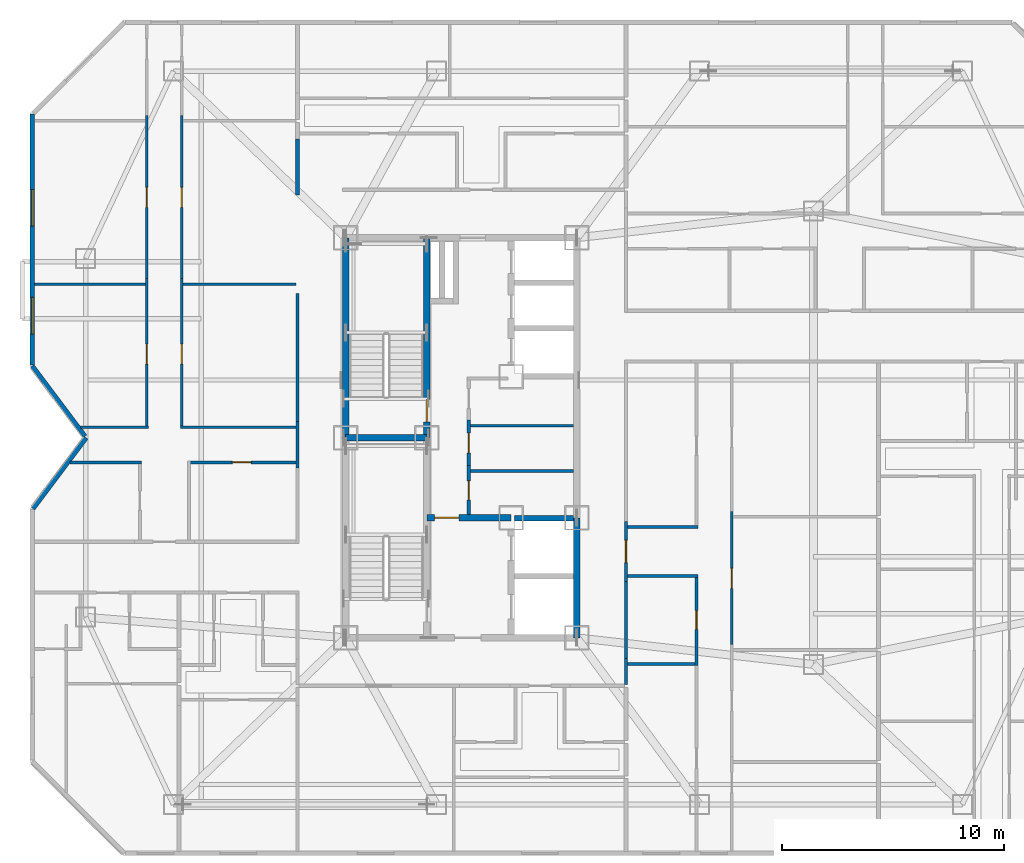
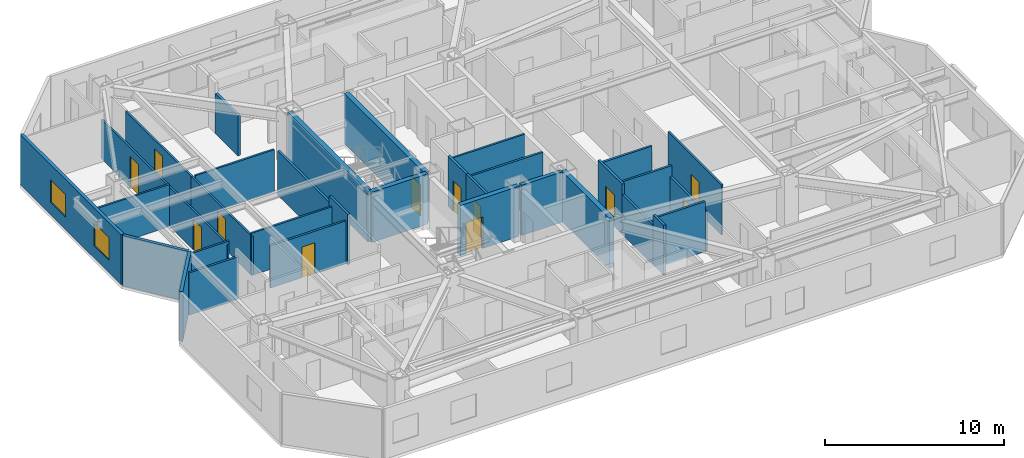
# One storey, part 7 of 13: 34 walls, 12 doors, 2 windows, 14 openings.
"""IFC4 building model written with IfcOpenShell, lengths in metres."""

from ifc_helpers import new_model, si_unit, direction, frame, frame_2d, origin, place, context, subcontext, project, spatial, rectangle, extrude, material, layer, layer_set, type_object, element, fill, save


model = new_model("IFC4")

# Units and contexts
model_context = context("Model", 3, precision=1e-05, world=origin(), true_north=direction((0.0, 1.0)))
body_context = subcontext(model_context, "Body", "Model", "MODEL_VIEW")
ifc_project = project(units=[si_unit("LENGTHUNIT", "METRE"), si_unit("AREAUNIT", "SQUARE_METRE"), si_unit("VOLUMEUNIT", "CUBIC_METRE"), si_unit("PLANEANGLEUNIT", "RADIAN"), si_unit("MASSUNIT", "GRAM", prefix="KILO")], contexts=[model_context])

# Site, building, storey
site_placement = place(None, origin())
site = spatial("IfcSite", under=ifc_project, at=site_placement, CompositionType="ELEMENT")
building_placement = place(site_placement, origin())
building = spatial("IfcBuilding", under=site, at=building_placement, Name="Khamvora Tower", CompositionType="ELEMENT")
storey_placement = place(building_placement, frame((0.0, 0.0, 166.85009765625)))
storey = spatial("IfcBuildingStorey", under=building, at=storey_placement, Name="L42", CompositionType="ELEMENT", Elevation=166.85009765625)

# Walls
ifc_material_1 = material(Name="Concrete C50/60", Category="concrete")
ifc_layer_1 = layer(ifc_material_1, 0.300048828125)
ifc_layer_set_1 = layer_set([ifc_layer_1], Name="Concrete C50/60")
wall_type_1 = type_object("IfcWallType", Name="WAL-CORE-300", PredefinedType="SHEAR", material=ifc_layer_set_1)
wall_1_placement = place(storey_placement, frame((29.0, 28.0, 0.0), z_axis=(0.0, 0.0, 1.0), x_axis=(0.0, 1.0, 0.0)))
element("IfcWall", 1, at=wall_1_placement, inside=storey, type_object=wall_type_1, Name="L42 central core west north wall", PredefinedType="SHEAR", context=body_context, shape_type="SweptSolid", body=[
    extrude(rectangle(XDim=9.0, YDim=0.300048828125, at=frame_2d((4.5, 0.0))), origin(), (0.0, 0.0, 1.0), 3.429931640625),
])
wall_2_placement = place(storey_placement, frame((39.39990234375, 19.0, 0.0), z_axis=(0.0, 0.0, 1.0), x_axis=(0.0, 1.0, 0.0)))
element("IfcWall", 2, at=wall_2_placement, inside=storey, type_object=wall_type_1, Name="L42 central core east south wall", PredefinedType="SHEAR", context=body_context, shape_type="SweptSolid", body=[
    extrude(rectangle(XDim=5.39990234375, YDim=0.300048828125, at=frame_2d((2.699951171875, 0.0))), origin(), (0.0, 0.0, 1.0), 3.429931640625),
])

# Wall, opening, door
wall_3_placement = place(storey_placement, frame((32.64990234375, 28.0, 0.0), z_axis=(0.0, 0.0, 1.0), x_axis=(0.0, 1.0, 0.0)))
wall_3 = element("IfcWall", 3, at=wall_3_placement, inside=storey, type_object=wall_type_1, Name="L42 central core stair north spine wall", PredefinedType="SHEAR", context=body_context, shape_type="SweptSolid", body=[
    extrude(rectangle(XDim=9.0, YDim=0.300048828125, at=frame_2d((4.5, 0.0))), origin(), (0.0, 0.0, 1.0), 3.429931640625),
])
opening_1_placement = place(wall_3_placement, frame((0.719970703125, 0.0, 0.0)))
opening_1 = element("IfcOpeningElement", 4, at=opening_1_placement, cuts=wall_3, Name="Opening D-ST1", PredefinedType="OPENING", context=body_context, shape_type="SweptSolid", body=[
    extrude(rectangle(XDim=1.0, YDim=2.14990234375, at=frame_2d((0.5, 1.074951171875))), frame((0.0, 0.159912109375, 0.0), z_axis=(0.0, -1.0, 0.0), x_axis=(1.0, 0.0, 0.0)), (0.0, 0.0, 1.0), 0.320068359375),
])
ifc_material_2 = material(Name="Powder-Coated Steel and Hardwood Leaf", Category="steel")
door_type_1 = type_object("IfcDoorType", Name="DOR-STAIR-1000", OperationType="NOTDEFINED", PredefinedType="DOOR", material=ifc_material_2)
door_1_placement = place(opening_1_placement, origin())
door_1 = element("IfcDoor", 5, at=door_1_placement, inside=storey, type_object=door_type_1, Name="L42 exit stair ST-02 fire door", OperationType="SINGLE_SWING_RIGHT", OverallHeight=2.14990234375, OverallWidth=1.0, PredefinedType="DOOR", context=body_context, shape_type="SweptSolid", body=[
    extrude(rectangle(XDim=1.0, YDim=2.14990234375, at=frame_2d((0.5, 1.074951171875))), frame((0.0, 0.02490234375, 0.0), z_axis=(0.0, -1.0, 0.0), x_axis=(1.0, 0.0, 0.0)), (0.0, 0.0, 1.0), 0.050048828125),
])
fill(opening_1, door_1)

# Wall
wall_4_placement = place(storey_placement, frame((29.0, 28.0, 0.0), z_axis=(0.0, 0.0, 1.0), x_axis=(1.0, 0.0, 0.0)))
element("IfcWall", 6, at=wall_4_placement, inside=storey, type_object=wall_type_1, Name="L42 central core stair cross wall", PredefinedType="SHEAR", context=body_context, shape_type="SweptSolid", body=[
    extrude(rectangle(XDim=3.64990234375, YDim=0.300048828125, at=frame_2d((1.824951171875, 0.0))), origin(), (0.0, 0.0, 1.0), 3.429931640625),
])

# Wall, opening, door
wall_5_placement = place(storey_placement, frame((32.64990234375, 24.39990234375, 0.0), z_axis=(0.0, 0.0, 1.0), x_axis=(1.0, 0.0, 0.0)))
wall_5 = element("IfcWall", 7, at=wall_5_placement, inside=storey, type_object=wall_type_1, Name="L42 central core firefighting lobby north wall", PredefinedType="SHEAR", context=body_context, shape_type="SweptSolid", body=[
    extrude(rectangle(XDim=3.800048828125, YDim=0.300048828125, at=frame_2d((1.89990234375, 0.0))), origin(), (0.0, 0.0, 1.0), 3.429931640625),
])
opening_2_placement = place(wall_5_placement, frame((0.35009765625, 0.0, 0.0)))
opening_2 = element("IfcOpeningElement", 8, at=opening_2_placement, cuts=wall_5, Name="Opening D-FF1", PredefinedType="OPENING", context=body_context, shape_type="SweptSolid", body=[
    extrude(rectangle(XDim=1.10009765625, YDim=2.14990234375, at=frame_2d((0.550048828125, 1.074951171875))), frame((0.0, 0.159912109375, 0.0), z_axis=(0.0, -1.0, 0.0), x_axis=(1.0, 0.0, 0.0)), (0.0, 0.0, 1.0), 0.320068359375),
])
door_type_2 = type_object("IfcDoorType", Name="DOR-FFLOB-1100", OperationType="NOTDEFINED", PredefinedType="DOOR", material=ifc_material_2)
door_2_placement = place(opening_2_placement, origin())
door_2 = element("IfcDoor", 9, at=door_2_placement, inside=storey, type_object=door_type_2, Name="L42 firefighting lobby smoke-seal fire door", OperationType="SINGLE_SWING_LEFT", OverallHeight=2.14990234375, OverallWidth=1.10009765625, PredefinedType="DOOR", context=body_context, shape_type="SweptSolid", body=[
    extrude(rectangle(XDim=1.10009765625, YDim=2.14990234375, at=frame_2d((0.550048828125, 1.074951171875))), frame((0.0, 0.02490234375, 0.0), z_axis=(0.0, -1.0, 0.0), x_axis=(1.0, 0.0, 0.0)), (0.0, 0.0, 1.0), 0.050048828125),
])
fill(opening_2, door_2)

ifc_material_3 = material(Name="Fire-Rated Drywall and Steel Stud", Category="steel")
ifc_layer_2 = layer(ifc_material_3, 0.14990234375)
ifc_layer_set_2 = layer_set([ifc_layer_2], Name="Fire-Rated Drywall and Steel Stud")
wall_type_2 = type_object("IfcWallType", Name="WAL-CORR-150", PredefinedType="STANDARD", material=ifc_layer_set_2)
wall_6_placement = place(storey_placement, frame((34.544921875, 26.763916015625, 0.0), z_axis=(0.0, 0.0, 1.0), x_axis=(0.0, -1.0, 0.0)))
wall_6 = element("IfcWall", 10, at=wall_6_placement, inside=storey, type_object=wall_type_2, Name="L42 interior partition wall 001", PredefinedType="STANDARD", context=body_context, shape_type="SweptSolid", body=[
    extrude(rectangle(XDim=2.219970703125, YDim=0.14990234375, at=frame_2d((1.10986328125, 0.0))), origin(), (0.0, 0.0, 1.0), 3.429931640625),
])
opening_3_placement = place(wall_6_placement, frame((0.7060546875, 0.0, 0.0)))
opening_3 = element("IfcOpeningElement", 11, at=opening_3_placement, cuts=wall_6, Name="Opening D-WC1", PredefinedType="OPENING", context=body_context, shape_type="SweptSolid", body=[
    extrude(rectangle(XDim=0.85009765625, YDim=2.10009765625, at=frame_2d((0.425048828125, 1.050048828125))), frame((0.0, 0.0849609375, 0.0), z_axis=(0.0, -1.0, 0.0), x_axis=(1.0, 0.0, 0.0)), (0.0, 0.0, 1.0), 0.169921875),
])
door_type_3 = type_object("IfcDoorType", Name="DOR-WET-850", OperationType="NOTDEFINED", PredefinedType="DOOR", material=ifc_material_2)
door_3_placement = place(opening_3_placement, origin())
door_3 = element("IfcDoor", 12, at=door_3_placement, inside=storey, type_object=door_type_3, Name="L42 interior door PHL-CS1", OperationType="SINGLE_SWING_RIGHT", OverallHeight=2.10009765625, OverallWidth=0.85009765625, PredefinedType="DOOR", context=body_context, shape_type="SweptSolid", body=[
    extrude(rectangle(XDim=0.85009765625, YDim=2.10009765625, at=frame_2d((0.425048828125, 1.050048828125))), frame((0.0, 0.02490234375, 0.0), z_axis=(0.0, -1.0, 0.0), x_axis=(1.0, 0.0, 0.0)), (0.0, 0.0, 1.0), 0.050048828125),
])
fill(opening_3, door_3)

wall_7_placement = place(storey_placement, frame((34.544921875, 28.7939453125, 0.0), z_axis=(0.0, 0.0, 1.0), x_axis=(0.0, -1.0, 0.0)))
wall_7 = element("IfcWall", 13, at=wall_7_placement, inside=storey, type_object=wall_type_2, Name="L42 interior partition wall 002", PredefinedType="STANDARD", context=body_context, shape_type="SweptSolid", body=[
    extrude(rectangle(XDim=2.030029296875, YDim=0.14990234375, at=frame_2d((1.01513671875, 0.0))), origin(), (0.0, 0.0, 1.0), 3.429931640625),
])
opening_4_placement = place(wall_7_placement, frame((0.5859375, 0.0, 0.0)))
opening_4 = element("IfcOpeningElement", 14, at=opening_4_placement, cuts=wall_7, Name="Opening D-RM1", PredefinedType="OPENING", context=body_context, shape_type="SweptSolid", body=[
    extrude(rectangle(XDim=0.89990234375, YDim=2.10009765625, at=frame_2d((0.449951171875, 1.050048828125))), frame((0.0, 0.0849609375, 0.0), z_axis=(0.0, -1.0, 0.0), x_axis=(1.0, 0.0, 0.0)), (0.0, 0.0, 1.0), 0.169921875),
])
door_type_4 = type_object("IfcDoorType", Name="DOR-ROOM-900", OperationType="NOTDEFINED", PredefinedType="DOOR", material=ifc_material_2)
door_4_placement = place(opening_4_placement, origin())
door_4 = element("IfcDoor", 15, at=door_4_placement, inside=storey, type_object=door_type_4, Name="L42 interior door PHL-CS2", OperationType="SINGLE_SWING_LEFT", OverallHeight=2.10009765625, OverallWidth=0.89990234375, PredefinedType="DOOR", context=body_context, shape_type="SweptSolid", body=[
    extrude(rectangle(XDim=0.89990234375, YDim=2.10009765625, at=frame_2d((0.449951171875, 1.050048828125))), frame((0.0, 0.02490234375, 0.0), z_axis=(0.0, -1.0, 0.0), x_axis=(1.0, 0.0, 0.0)), (0.0, 0.0, 1.0), 0.050048828125),
])
fill(opening_4, door_4)

# Walls
wall_8_placement = place(storey_placement, frame((26.8349609375, 26.64599609375, 0.0), z_axis=(0.0, 0.0, 1.0), x_axis=(0.0, 1.0, 0.0)))
element("IfcWall", 16, at=wall_8_placement, inside=storey, type_object=wall_type_2, Name="L42 interior partition wall 016", PredefinedType="STANDARD", context=body_context, shape_type="SweptSolid", body=[
    extrude(rectangle(XDim=2.078125, YDim=0.14990234375, at=frame_2d((1.0390625, 0.0))), origin(), (0.0, 0.0, 1.0), 3.429931640625),
])
wall_9_placement = place(storey_placement, frame((26.8349609375, 28.72412109375, 0.0), z_axis=(0.0, 0.0, 1.0), x_axis=(0.0, 1.0, 0.0)))
element("IfcWall", 17, at=wall_9_placement, inside=storey, type_object=wall_type_2, Name="L42 interior partition wall 020", PredefinedType="STANDARD", context=body_context, shape_type="SweptSolid", body=[
    extrude(rectangle(XDim=5.77587890625, YDim=0.14990234375, at=frame_2d((2.887939453125, 0.0))), origin(), (0.0, 0.0, 1.0), 3.012939453125),
])
wall_10_placement = place(storey_placement, frame((41.614990234375, 18.068115234375, 0.0), z_axis=(0.0, 0.0, 1.0), x_axis=(0.0, -1.0, 0.0)))
element("IfcWall", 18, at=wall_10_placement, inside=storey, type_object=wall_type_2, Name="L42 interior partition wall 027", PredefinedType="STANDARD", context=body_context, shape_type="SweptSolid", body=[
    extrude(rectangle(XDim=1.168212890625, YDim=0.14990234375, at=frame_2d((0.583984375, 0.0))), origin(), (0.0, 0.0, 1.0), 3.429931640625),
])

# Wall, opening, door
wall_11_placement = place(storey_placement, frame((41.614990234375, 24.23291015625, 0.0), z_axis=(0.0, 0.0, 1.0), x_axis=(0.0, -1.0, 0.0)))
wall_11 = element("IfcWall", 19, at=wall_11_placement, inside=storey, type_object=wall_type_2, Name="L42 interior partition wall 029", PredefinedType="STANDARD", context=body_context, shape_type="SweptSolid", body=[
    extrude(rectangle(XDim=2.697998046875, YDim=0.14990234375, at=frame_2d((1.34912109375, 0.0))), origin(), (0.0, 0.0, 1.0), 3.429931640625),
])
opening_5_placement = place(wall_11_placement, frame((0.84912109375, 0.0, 0.0)))
opening_5 = element("IfcOpeningElement", 20, at=opening_5_placement, cuts=wall_11, Name="Opening D-U1", PredefinedType="OPENING", context=body_context, shape_type="SweptSolid", body=[
    extrude(rectangle(XDim=1.0, YDim=2.14990234375, at=frame_2d((0.5, 1.074951171875))), frame((0.0, 0.0849609375, 0.0), z_axis=(0.0, -1.0, 0.0), x_axis=(1.0, 0.0, 0.0)), (0.0, 0.0, 1.0), 0.169921875),
])
door_type_5 = type_object("IfcDoorType", Name="DOR-UNIT-1000", OperationType="NOTDEFINED", PredefinedType="DOOR", material=ifc_material_2)
door_5_placement = place(opening_5_placement, origin())
door_5 = element("IfcDoor", 21, at=door_5_placement, inside=storey, type_object=door_type_5, Name="L42 interior door COR-42EAH", OperationType="SINGLE_SWING_RIGHT", OverallHeight=2.14990234375, OverallWidth=1.0, PredefinedType="DOOR", context=body_context, shape_type="SweptSolid", body=[
    extrude(rectangle(XDim=1.0, YDim=2.14990234375, at=frame_2d((0.5, 1.074951171875))), frame((0.0, 0.02490234375, 0.0), z_axis=(0.0, -1.0, 0.0), x_axis=(1.0, 0.0, 0.0)), (0.0, 0.0, 1.0), 0.050048828125),
])
fill(opening_5, door_5)

# Walls
wall_12_placement = place(storey_placement, frame((41.614990234375, 21.534912109375, 0.0), z_axis=(0.0, 0.0, 1.0), x_axis=(0.0, -1.0, 0.0)))
element("IfcWall", 22, at=wall_12_placement, inside=storey, type_object=wall_type_2, Name="L42 interior partition wall 030", PredefinedType="STANDARD", context=body_context, shape_type="SweptSolid", body=[
    extrude(rectangle(XDim=3.466796875, YDim=0.14990234375, at=frame_2d((1.7333984375, 0.0))), origin(), (0.0, 0.0, 1.0), 2.724853515625),
])
ifc_material_4 = material(Name="Acoustic Double-Stud Fire Wall", Category="gypsum")
ifc_layer_3 = layer(ifc_material_4, 0.179931640625)
ifc_layer_set_3 = layer_set([ifc_layer_3], Name="Acoustic Double-Stud Fire Wall")
wall_type_3 = type_object("IfcWallType", Name="WAL-CORR-180", PredefinedType="STANDARD", material=ifc_layer_set_3)
wall_13_placement = place(storey_placement, frame((26.8349609375, 41.446044921875, 0.0), z_axis=(0.0, 0.0, 1.0), x_axis=(0.0, -1.0, 0.0)))
element("IfcWall", 23, at=wall_13_placement, inside=storey, type_object=wall_type_3, Name="L42 interior partition wall 083", PredefinedType="STANDARD", context=body_context, shape_type="SweptSolid", body=[
    extrude(rectangle(XDim=2.530029296875, YDim=0.179931640625, at=frame_2d((1.26513671875, 0.0))), origin(), (0.0, 0.0, 1.0), 2.724853515625),
])
ifc_material_5 = material(Name="Precast concrete C40/50", Category="concrete")
ifc_layer_4 = layer(ifc_material_5, 0.199951171875)
ifc_layer_set_4 = layer_set([ifc_layer_4], Name="Precast concrete C40/50")
wall_type_4 = type_object("IfcWallType", Name="WAL-EXT-200", PredefinedType="STANDARD", material=ifc_layer_set_4)
wall_14_placement = place(storey_placement, frame((14.929931640625, 24.806884765625, 0.0), z_axis=(0.0, 0.0, 1.0), x_axis=(0.600029358831, 0.799977980035, 0.0)))
element("IfcWall", 24, at=wall_14_placement, inside=storey, type_object=wall_type_4, Name="L42 exterior facade wall 03.1", PredefinedType="STANDARD", context=body_context, shape_type="SweptSolid", body=[
    extrude(rectangle(XDim=3.991455078125, YDim=0.199951171875, at=frame_2d((1.99560546875, 0.0))), origin(), (0.0, 0.0, 1.0), 3.429931640625),
])
wall_15_placement = place(storey_placement, frame((17.27294921875, 28.069091796875, 0.0), z_axis=(0.0, 0.0, 1.0), x_axis=(-0.600029630681, 0.799977776132, 0.0)))
element("IfcWall", 25, at=wall_15_placement, inside=storey, type_object=wall_type_4, Name="L42 exterior facade wall 04.1", PredefinedType="STANDARD", context=body_context, shape_type="SweptSolid", body=[
    extrude(rectangle(XDim=3.954833984375, YDim=0.199951171875, at=frame_2d((1.9775390625, 0.0))), origin(), (0.0, 0.0, 1.0), 3.429931640625),
])

# Wall, openings, windows
wall_16_placement = place(storey_placement, frame((14.89990234375, 31.283935546875, 0.0), z_axis=(0.0, 0.0, 1.0), x_axis=(0.0, 1.0, 0.0)))
wall_16 = element("IfcWall", 26, at=wall_16_placement, inside=storey, type_object=wall_type_4, Name="L42 exterior facade wall 05.1", PredefinedType="STANDARD", context=body_context, shape_type="SweptSolid", body=[
    extrude(rectangle(XDim=11.275146484375, YDim=0.199951171875, at=frame_2d((5.6376953125, 0.0))), origin(), (0.0, 0.0, 1.0), 3.429931640625),
])
opening_6_placement = place(wall_16_placement, frame((1.383056640625, 0.0, 0.85009765625)))
opening_6 = element("IfcOpeningElement", 27, at=opening_6_placement, cuts=wall_16, Name="Opening WN-06", PredefinedType="OPENING", context=body_context, shape_type="SweptSolid", body=[
    extrude(rectangle(XDim=1.64990234375, YDim=1.550048828125, at=frame_2d((0.824951171875, 0.77490234375))), frame((0.0, 0.10986328125, 0.0), z_axis=(0.0, -1.0, 0.0), x_axis=(1.0, 0.0, 0.0)), (0.0, 0.0, 1.0), 0.219970703125),
])
opening_7_placement = place(wall_16_placement, frame((6.236083984375, 0.0, 0.85009765625)))
opening_7 = element("IfcOpeningElement", 28, at=opening_7_placement, cuts=wall_16, Name="Opening WN-06", PredefinedType="OPENING", context=body_context, shape_type="SweptSolid", body=[
    extrude(rectangle(XDim=1.64990234375, YDim=1.550048828125, at=frame_2d((0.824951171875, 0.77490234375))), frame((0.0, 0.10986328125, 0.0), z_axis=(0.0, -1.0, 0.0), x_axis=(1.0, 0.0, 0.0)), (0.0, 0.0, 1.0), 0.219970703125),
])
ifc_material_6 = material(Name="Low-E Laminated Double Glazing", Category="glass")
window_type = type_object("IfcWindowType", Name="WIN-VIS-1650x1550", PartitioningType="SINGLE_PANEL", PredefinedType="WINDOW", material=ifc_material_6)
window_1_placement = place(opening_6_placement, origin())
window_1 = element("IfcWindow", 29, at=window_1_placement, inside=storey, type_object=window_type, Name="L42 vision window 05.1.01", OverallHeight=1.550048828125, OverallWidth=1.64990234375, PartitioningType="SINGLE_PANEL", PredefinedType="WINDOW", context=body_context, shape_type="SweptSolid", body=[
    extrude(rectangle(XDim=1.64990234375, YDim=1.550048828125, at=frame_2d((0.824951171875, 0.77490234375))), frame((0.0, 0.030029296875, 0.0), z_axis=(0.0, -1.0, 0.0), x_axis=(1.0, 0.0, 0.0)), (0.0, 0.0, 1.0), 0.06005859375),
])
fill(opening_6, window_1)
window_2_placement = place(opening_7_placement, origin())
window_2 = element("IfcWindow", 30, at=window_2_placement, inside=storey, type_object=window_type, Name="L42 vision window 05.1.02", OverallHeight=1.550048828125, OverallWidth=1.64990234375, PartitioningType="SINGLE_PANEL", PredefinedType="WINDOW", context=body_context, shape_type="SweptSolid", body=[
    extrude(rectangle(XDim=1.64990234375, YDim=1.550048828125, at=frame_2d((0.824951171875, 0.77490234375))), frame((0.0, 0.030029296875, 0.0), z_axis=(0.0, -1.0, 0.0), x_axis=(1.0, 0.0, 0.0)), (0.0, 0.0, 1.0), 0.06005859375),
])
fill(opening_7, window_2)

# Walls
ifc_material_7 = material(Name="Gypsum Plasterboard Partition", Category="gypsum")
ifc_layer_5 = layer(ifc_material_7, 0.1201171875)
ifc_layer_set_5 = layer_set([ifc_layer_5], Name="Gypsum Plasterboard Partition")
wall_type_5 = type_object("IfcWallType", Name="WAL-PART-120", PredefinedType="PARTITIONING", material=ifc_layer_set_5)
wall_17_placement = place(storey_placement, frame((34.612060546875, 28.544921875, 0.0), z_axis=(0.0, 0.0, 1.0), x_axis=(1.0, 0.0, 0.0)))
element("IfcWall", 31, at=wall_17_placement, inside=storey, type_object=wall_type_5, Name="L42 interior partition wall 006", PredefinedType="PARTITIONING", context=body_context, shape_type="SweptSolid", body=[
    extrude(rectangle(XDim=4.64404296875, YDim=0.1201171875, at=frame_2d((2.322021484375, 0.0))), origin(), (0.0, 0.0, 1.0), 3.429931640625),
])
wall_18_placement = place(storey_placement, frame((17.072998046875, 28.47509765625, 0.0), z_axis=(0.0, 0.0, 1.0), x_axis=(1.0, 0.0, 0.0)))
element("IfcWall", 32, at=wall_18_placement, inside=storey, type_object=wall_type_5, Name="L42 interior partition wall 070", PredefinedType="PARTITIONING", context=body_context, shape_type="SweptSolid", body=[
    extrude(rectangle(XDim=3.047119140625, YDim=0.1201171875, at=frame_2d((1.5234375, 0.0))), origin(), (0.0, 0.0, 1.0), 2.8759765625),
])

# Wall, opening, door
wall_19_placement = place(storey_placement, frame((20.054931640625, 28.409912109375, 0.0), z_axis=(0.0, 0.0, 1.0), x_axis=(0.0, 1.0, 0.0)))
wall_19 = element("IfcWall", 33, at=wall_19_placement, inside=storey, type_object=wall_type_5, Name="L42 interior partition wall 071", PredefinedType="PARTITIONING", context=body_context, shape_type="SweptSolid", body=[
    extrude(rectangle(XDim=6.754150390625, YDim=0.1201171875, at=frame_2d((3.376953125, 0.0))), origin(), (0.0, 0.0, 1.0), 2.68701171875),
])
opening_8_placement = place(wall_19_placement, frame((2.906005859375, 0.0, 0.0)))
opening_8 = element("IfcOpeningElement", 34, at=opening_8_placement, cuts=wall_19, Name="Opening D-RM1", PredefinedType="OPENING", context=body_context, shape_type="SweptSolid", body=[
    extrude(rectangle(XDim=0.89990234375, YDim=2.10009765625, at=frame_2d((0.449951171875, 1.050048828125))), frame((0.0, 0.070068359375, 0.0), z_axis=(0.0, -1.0, 0.0), x_axis=(1.0, 0.0, 0.0)), (0.0, 0.0, 1.0), 0.14013671875),
])
door_6_placement = place(opening_8_placement, origin())
door_6 = element("IfcDoor", 35, at=door_6_placement, inside=storey, type_object=door_type_4, Name="L42 interior door 42WCH-42WCL", OperationType="SINGLE_SWING_LEFT", OverallHeight=2.10009765625, OverallWidth=0.89990234375, PredefinedType="DOOR", context=body_context, shape_type="SweptSolid", body=[
    extrude(rectangle(XDim=0.89990234375, YDim=2.10009765625, at=frame_2d((0.449951171875, 1.050048828125))), frame((0.0, 0.02490234375, 0.0), z_axis=(0.0, -1.0, 0.0), x_axis=(1.0, 0.0, 0.0)), (0.0, 0.0, 1.0), 0.050048828125),
])
fill(opening_8, door_6)

wall_20_placement = place(storey_placement, frame((20.054931640625, 35.1640625, 0.0), z_axis=(0.0, 0.0, 1.0), x_axis=(0.0, 1.0, 0.0)))
wall_20 = element("IfcWall", 36, at=wall_20_placement, inside=storey, type_object=wall_type_5, Name="L42 interior partition wall 072", PredefinedType="PARTITIONING", context=body_context, shape_type="SweptSolid", body=[
    extrude(rectangle(XDim=7.347900390625, YDim=0.1201171875, at=frame_2d((3.673828125, 0.0))), origin(), (0.0, 0.0, 1.0), 2.68701171875),
])
opening_9_placement = place(wall_20_placement, frame((3.202880859375, 0.0, 0.0)))
opening_9 = element("IfcOpeningElement", 37, at=opening_9_placement, cuts=wall_20, Name="Opening D-RM1", PredefinedType="OPENING", context=body_context, shape_type="SweptSolid", body=[
    extrude(rectangle(XDim=0.89990234375, YDim=2.10009765625, at=frame_2d((0.449951171875, 1.050048828125))), frame((0.0, 0.070068359375, 0.0), z_axis=(0.0, -1.0, 0.0), x_axis=(1.0, 0.0, 0.0)), (0.0, 0.0, 1.0), 0.14013671875),
])
door_7_placement = place(opening_9_placement, origin())
door_7 = element("IfcDoor", 38, at=door_7_placement, inside=storey, type_object=door_type_4, Name="L42 interior door 42WCH-42WCR2", OperationType="SINGLE_SWING_RIGHT", OverallHeight=2.10009765625, OverallWidth=0.89990234375, PredefinedType="DOOR", context=body_context, shape_type="SweptSolid", body=[
    extrude(rectangle(XDim=0.89990234375, YDim=2.10009765625, at=frame_2d((0.449951171875, 1.050048828125))), frame((0.0, 0.02490234375, 0.0), z_axis=(0.0, -1.0, 0.0), x_axis=(1.0, 0.0, 0.0)), (0.0, 0.0, 1.0), 0.050048828125),
])
fill(opening_9, door_7)

wall_21_placement = place(storey_placement, frame((21.625, 35.1640625, 0.0), z_axis=(0.0, 0.0, 1.0), x_axis=(0.0, -1.0, 0.0)))
wall_21 = element("IfcWall", 39, at=wall_21_placement, inside=storey, type_object=wall_type_5, Name="L42 interior partition wall 074", PredefinedType="PARTITIONING", context=body_context, shape_type="SweptSolid", body=[
    extrude(rectangle(XDim=6.754150390625, YDim=0.1201171875, at=frame_2d((3.376953125, 0.0))), origin(), (0.0, 0.0, 1.0), 2.68701171875),
])
opening_10_placement = place(wall_21_placement, frame((2.947998046875, 0.0, 0.0)))
opening_10 = element("IfcOpeningElement", 40, at=opening_10_placement, cuts=wall_21, Name="Opening D-RM1", PredefinedType="OPENING", context=body_context, shape_type="SweptSolid", body=[
    extrude(rectangle(XDim=0.89990234375, YDim=2.10009765625, at=frame_2d((0.449951171875, 1.050048828125))), frame((0.0, 0.070068359375, 0.0), z_axis=(0.0, -1.0, 0.0), x_axis=(1.0, 0.0, 0.0)), (0.0, 0.0, 1.0), 0.14013671875),
])
door_8_placement = place(opening_10_placement, origin())
door_8 = element("IfcDoor", 41, at=door_8_placement, inside=storey, type_object=door_type_4, Name="L42 interior door 42WCH-42WCR4", OperationType="SINGLE_SWING_RIGHT", OverallHeight=2.10009765625, OverallWidth=0.89990234375, PredefinedType="DOOR", context=body_context, shape_type="SweptSolid", body=[
    extrude(rectangle(XDim=0.89990234375, YDim=2.10009765625, at=frame_2d((0.449951171875, 1.050048828125))), frame((0.0, 0.02490234375, 0.0), z_axis=(0.0, -1.0, 0.0), x_axis=(1.0, 0.0, 0.0)), (0.0, 0.0, 1.0), 0.050048828125),
])
fill(opening_10, door_8)

# Wall
wall_22_placement = place(storey_placement, frame((21.56005859375, 28.47509765625, 0.0), z_axis=(0.0, 0.0, 1.0), x_axis=(1.0, 0.0, 0.0)))
element("IfcWall", 42, at=wall_22_placement, inside=storey, type_object=wall_type_5, Name="L42 interior partition wall 075", PredefinedType="PARTITIONING", context=body_context, shape_type="SweptSolid", body=[
    extrude(rectangle(XDim=5.2099609375, YDim=0.1201171875, at=frame_2d((2.60498046875, 0.0))), origin(), (0.0, 0.0, 1.0), 2.886962890625),
])

# Wall, opening, door
wall_23_placement = place(storey_placement, frame((21.625, 42.511962890625, 0.0), z_axis=(0.0, 0.0, 1.0), x_axis=(0.0, -1.0, 0.0)))
wall_23 = element("IfcWall", 43, at=wall_23_placement, inside=storey, type_object=wall_type_5, Name="L42 interior partition wall 076", PredefinedType="PARTITIONING", context=body_context, shape_type="SweptSolid", body=[
    extrude(rectangle(XDim=7.347900390625, YDim=0.1201171875, at=frame_2d((3.673828125, 0.0))), origin(), (0.0, 0.0, 1.0), 2.68701171875),
])
opening_11_placement = place(wall_23_placement, frame((3.2451171875, 0.0, 0.0)))
opening_11 = element("IfcOpeningElement", 44, at=opening_11_placement, cuts=wall_23, Name="Opening D-RM1", PredefinedType="OPENING", context=body_context, shape_type="SweptSolid", body=[
    extrude(rectangle(XDim=0.89990234375, YDim=2.10009765625, at=frame_2d((0.449951171875, 1.050048828125))), frame((0.0, 0.070068359375, 0.0), z_axis=(0.0, -1.0, 0.0), x_axis=(1.0, 0.0, 0.0)), (0.0, 0.0, 1.0), 0.14013671875),
])
door_9_placement = place(opening_11_placement, origin())
door_9 = element("IfcDoor", 45, at=door_9_placement, inside=storey, type_object=door_type_4, Name="L42 interior door 42WCH-42WCR5", OperationType="SINGLE_SWING_LEFT", OverallHeight=2.10009765625, OverallWidth=0.89990234375, PredefinedType="DOOR", context=body_context, shape_type="SweptSolid", body=[
    extrude(rectangle(XDim=0.89990234375, YDim=2.10009765625, at=frame_2d((0.449951171875, 1.050048828125))), frame((0.0, 0.02490234375, 0.0), z_axis=(0.0, -1.0, 0.0), x_axis=(1.0, 0.0, 0.0)), (0.0, 0.0, 1.0), 0.050048828125),
])
fill(opening_11, door_9)

# Walls
wall_24_placement = place(storey_placement, frame((14.991943359375, 34.9150390625, 0.0), z_axis=(0.0, 0.0, 1.0), x_axis=(1.0, 0.0, 0.0)))
element("IfcWall", 46, at=wall_24_placement, inside=storey, type_object=wall_type_5, Name="L42 interior partition wall 078", PredefinedType="PARTITIONING", context=body_context, shape_type="SweptSolid", body=[
    extrude(rectangle(XDim=5.009033203125, YDim=0.1201171875, at=frame_2d((2.50439453125, 0.0))), origin(), (0.0, 0.0, 1.0), 2.8759765625),
])
wall_25_placement = place(storey_placement, frame((21.678955078125, 34.9150390625, 0.0), z_axis=(0.0, 0.0, 1.0), x_axis=(1.0, 0.0, 0.0)))
element("IfcWall", 47, at=wall_25_placement, inside=storey, type_object=wall_type_5, Name="L42 interior partition wall 080", PredefinedType="PARTITIONING", context=body_context, shape_type="SweptSolid", body=[
    extrude(rectangle(XDim=5.091064453125, YDim=0.1201171875, at=frame_2d((2.54541015625, 0.0))), origin(), (0.0, 0.0, 1.0), 2.886962890625),
])

# Wall, opening, door
wall_26_placement = place(storey_placement, frame((46.367919921875, 24.68994140625, 0.0), z_axis=(0.0, 0.0, 1.0), x_axis=(0.0, -1.0, 0.0)))
wall_26 = element("IfcWall", 48, at=wall_26_placement, inside=storey, type_object=wall_type_5, Name="L42 interior partition wall 113", PredefinedType="PARTITIONING", context=body_context, shape_type="SweptSolid", body=[
    extrude(rectangle(XDim=5.987060546875, YDim=0.1201171875, at=frame_2d((2.99365234375, 0.0))), origin(), (0.0, 0.0, 1.0), 3.429931640625),
])
opening_12_placement = place(wall_26_placement, frame((2.56494140625, 0.0, 0.0)))
opening_12 = element("IfcOpeningElement", 49, at=opening_12_placement, cuts=wall_26, Name="Opening D-RM1", PredefinedType="OPENING", context=body_context, shape_type="SweptSolid", body=[
    extrude(rectangle(XDim=0.89990234375, YDim=2.10009765625, at=frame_2d((0.449951171875, 1.050048828125))), frame((0.0, 0.070068359375, 0.0), z_axis=(0.0, -1.0, 0.0), x_axis=(1.0, 0.0, 0.0)), (0.0, 0.0, 1.0), 0.14013671875),
])
door_10_placement = place(opening_12_placement, origin())
door_10 = element("IfcDoor", 50, at=door_10_placement, inside=storey, type_object=door_type_4, Name="L42 interior door 42EAH-42EAR3", OperationType="SINGLE_SWING_LEFT", OverallHeight=2.10009765625, OverallWidth=0.89990234375, PredefinedType="DOOR", context=body_context, shape_type="SweptSolid", body=[
    extrude(rectangle(XDim=0.89990234375, YDim=2.10009765625, at=frame_2d((0.449951171875, 1.050048828125))), frame((0.0, 0.02490234375, 0.0), z_axis=(0.0, -1.0, 0.0), x_axis=(1.0, 0.0, 0.0)), (0.0, 0.0, 1.0), 0.050048828125),
])
fill(opening_12, door_10)

# Walls
ifc_material_8 = material(Name="Concrete C40/50", Category="concrete")
ifc_layer_6 = layer(ifc_material_8, 0.25)
ifc_layer_set_6 = layer_set([ifc_layer_6], Name="Concrete C40/50")
wall_type_6 = type_object("IfcWallType", Name="WAL-PODS-250", PredefinedType="SHEAR", material=ifc_layer_set_6)
wall_27_placement = place(storey_placement, frame((36.60400390625, 24.375, 0.0), z_axis=(0.0, 0.0, 1.0), x_axis=(1.0, 0.0, 0.0)))
element("IfcWall", 51, at=wall_27_placement, inside=storey, type_object=wall_type_6, Name="L42 lift shaft divider wall FFL-02", PredefinedType="SHEAR", context=body_context, shape_type="SweptSolid", body=[
    extrude(rectangle(XDim=2.64208984375, YDim=0.25, at=frame_2d((1.321044921875, 0.0))), origin(), (0.0, 0.0, 1.0), 3.429931640625),
])
ifc_material_9 = material(Name="Moisture-Resistant Plasterboard Partition", Category="gypsum")
ifc_layer_7 = layer(ifc_material_9, 0.135009765625)
ifc_layer_set_7 = layer_set([ifc_layer_7], Name="Moisture-Resistant Plasterboard Partition")
wall_type_7 = type_object("IfcWallType", Name="WAL-WET-135", PredefinedType="PARTITIONING", material=ifc_layer_set_7)
wall_28_placement = place(storey_placement, frame((34.612060546875, 26.514892578125, 0.0), z_axis=(0.0, 0.0, 1.0), x_axis=(1.0, 0.0, 0.0)))
element("IfcWall", 52, at=wall_28_placement, inside=storey, type_object=wall_type_7, Name="L42 interior partition wall 005", PredefinedType="PARTITIONING", context=body_context, shape_type="SweptSolid", body=[
    extrude(rectangle(XDim=4.64404296875, YDim=0.135009765625, at=frame_2d((2.322021484375, 0.0))), origin(), (0.0, 0.0, 1.0), 3.429931640625),
])
wall_29_placement = place(storey_placement, frame((19.804931640625, 26.89501953125, 0.0), z_axis=(0.0, 0.0, 1.0), x_axis=(-1.0, 0.0, 0.0)))
element("IfcWall", 53, at=wall_29_placement, inside=storey, type_object=wall_type_7, Name="L42 interior partition wall 067", PredefinedType="PARTITIONING", context=body_context, shape_type="SweptSolid", body=[
    extrude(rectangle(XDim=3.203857421875, YDim=0.135009765625, at=frame_2d((1.60205078125, 0.0))), origin(), (0.0, 0.0, 1.0), 2.8759765625),
])

# Wall, opening, door
wall_30_placement = place(storey_placement, frame((26.77001953125, 26.89501953125, 0.0), z_axis=(0.0, 0.0, 1.0), x_axis=(-1.0, 0.0, 0.0)))
wall_30 = element("IfcWall", 54, at=wall_30_placement, inside=storey, type_object=wall_type_7, Name="L42 interior partition wall 068", PredefinedType="PARTITIONING", context=body_context, shape_type="SweptSolid", body=[
    extrude(rectangle(XDim=4.89501953125, YDim=0.135009765625, at=frame_2d((2.447509765625, 0.0))), origin(), (0.0, 0.0, 1.0), 2.886962890625),
])
opening_13_placement = place(wall_30_placement, frame((2.02197265625, 0.0, 0.0)))
opening_13 = element("IfcOpeningElement", 55, at=opening_13_placement, cuts=wall_30, Name="Opening D-RM2", PredefinedType="OPENING", context=body_context, shape_type="SweptSolid", body=[
    extrude(rectangle(XDim=0.85009765625, YDim=2.10009765625, at=frame_2d((0.425048828125, 1.050048828125))), frame((0.0, 0.077392578125, 0.0), z_axis=(0.0, -1.0, 0.0), x_axis=(1.0, 0.0, 0.0)), (0.0, 0.0, 1.0), 0.155029296875),
])
door_type_6 = type_object("IfcDoorType", Name="DOR-ROOM-850", OperationType="NOTDEFINED", PredefinedType="DOOR", material=ifc_material_2)
door_11_placement = place(opening_13_placement, origin())
door_11 = element("IfcDoor", 56, at=door_11_placement, inside=storey, type_object=door_type_6, Name="L42 interior door 42WCH-42WCK", OperationType="SINGLE_SWING_RIGHT", OverallHeight=2.10009765625, OverallWidth=0.85009765625, PredefinedType="DOOR", context=body_context, shape_type="SweptSolid", body=[
    extrude(rectangle(XDim=0.85009765625, YDim=2.10009765625, at=frame_2d((0.425048828125, 1.050048828125))), frame((0.0, 0.02490234375, 0.0), z_axis=(0.0, -1.0, 0.0), x_axis=(1.0, 0.0, 0.0)), (0.0, 0.0, 1.0), 0.050048828125),
])
fill(opening_13, door_11)

# Wall
wall_31_placement = place(storey_placement, frame((41.681884765625, 17.819091796875, 0.0), z_axis=(0.0, 0.0, 1.0), x_axis=(1.0, 0.0, 0.0)))
element("IfcWall", 57, at=wall_31_placement, inside=storey, type_object=wall_type_7, Name="L42 interior partition wall 106", PredefinedType="PARTITIONING", context=body_context, shape_type="SweptSolid", body=[
    extrude(rectangle(XDim=3.041015625, YDim=0.135009765625, at=frame_2d((1.5205078125, 0.0))), origin(), (0.0, 0.0, 1.0), 3.429931640625),
])

# Wall, opening, door
wall_32_placement = place(storey_placement, frame((44.7880859375, 17.75390625, 0.0), z_axis=(0.0, 0.0, 1.0), x_axis=(0.0, 1.0, 0.0)))
wall_32 = element("IfcWall", 58, at=wall_32_placement, inside=storey, type_object=wall_type_7, Name="L42 interior partition wall 107", PredefinedType="PARTITIONING", context=body_context, shape_type="SweptSolid", body=[
    extrude(rectangle(XDim=4.09521484375, YDim=0.135009765625, at=frame_2d((2.047607421875, 0.0))), origin(), (0.0, 0.0, 1.0), 2.724853515625),
])
opening_14_placement = place(wall_32_placement, frame((1.6220703125, 0.0, 0.0)))
opening_14 = element("IfcOpeningElement", 59, at=opening_14_placement, cuts=wall_32, Name="Opening D-WC1", PredefinedType="OPENING", context=body_context, shape_type="SweptSolid", body=[
    extrude(rectangle(XDim=0.85009765625, YDim=2.10009765625, at=frame_2d((0.425048828125, 1.050048828125))), frame((0.0, 0.077392578125, 0.0), z_axis=(0.0, -1.0, 0.0), x_axis=(1.0, 0.0, 0.0)), (0.0, 0.0, 1.0), 0.155029296875),
])
door_12_placement = place(opening_14_placement, origin())
door_12 = element("IfcDoor", 60, at=door_12_placement, inside=storey, type_object=door_type_3, Name="L42 interior door 42EAH-42EAB", OperationType="SINGLE_SWING_RIGHT", OverallHeight=2.10009765625, OverallWidth=0.85009765625, PredefinedType="DOOR", context=body_context, shape_type="SweptSolid", body=[
    extrude(rectangle(XDim=0.85009765625, YDim=2.10009765625, at=frame_2d((0.425048828125, 1.050048828125))), frame((0.0, 0.02490234375, 0.0), z_axis=(0.0, -1.0, 0.0), x_axis=(1.0, 0.0, 0.0)), (0.0, 0.0, 1.0), 0.050048828125),
])
fill(opening_14, door_12)

# Walls
for number, where, z_axis, x_axis, name in (
    (61, (44.85302734375, 21.783935546875, 0.0), (0.0, 0.0, 1.0), (-1.0, 0.0, 0.0), "L42 interior partition wall 108"),
    (62, (41.681884765625, 23.98388671875, 0.0), (0.0, 0.0, 1.0), (1.0, 0.0, 0.0), "L42 interior partition wall 109"),
):
    element("IfcWall", number, at=place(storey_placement, frame(where, z_axis=z_axis, x_axis=x_axis)), inside=storey, type_object=wall_type_7, Name=name, PredefinedType="PARTITIONING", context=body_context, shape_type="SweptSolid", body=[
        extrude(rectangle(XDim=3.171142578125, YDim=0.135009765625, at=frame_2d((1.58544921875, 0.0))), origin(), (0.0, 0.0, 1.0), 3.429931640625),
    ])

save(model, "model.ifc")
